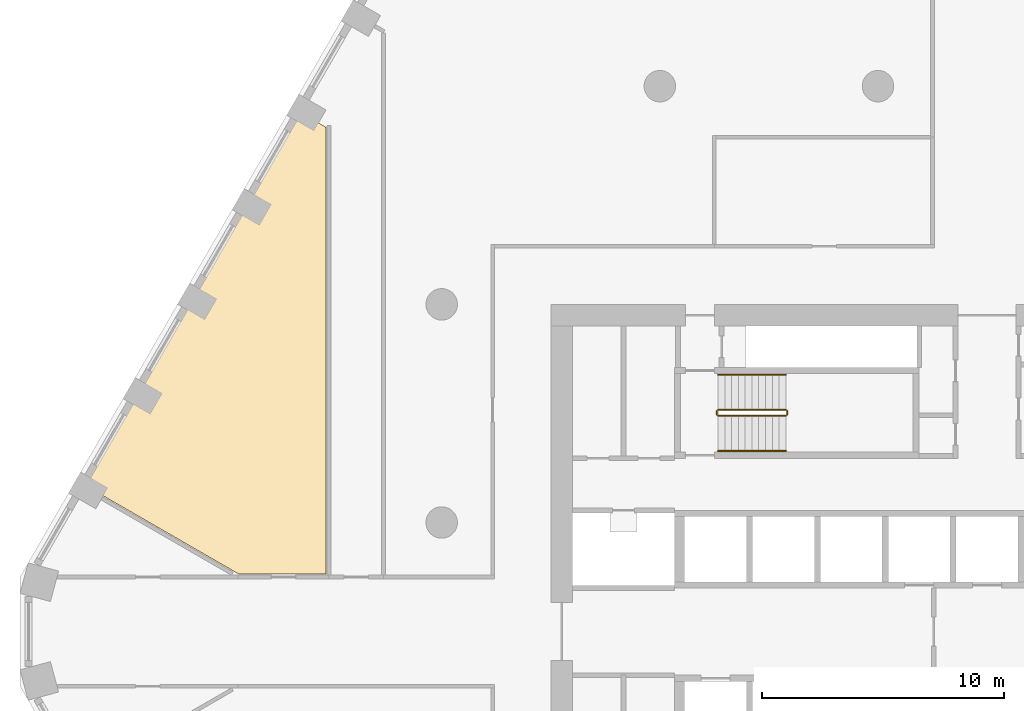
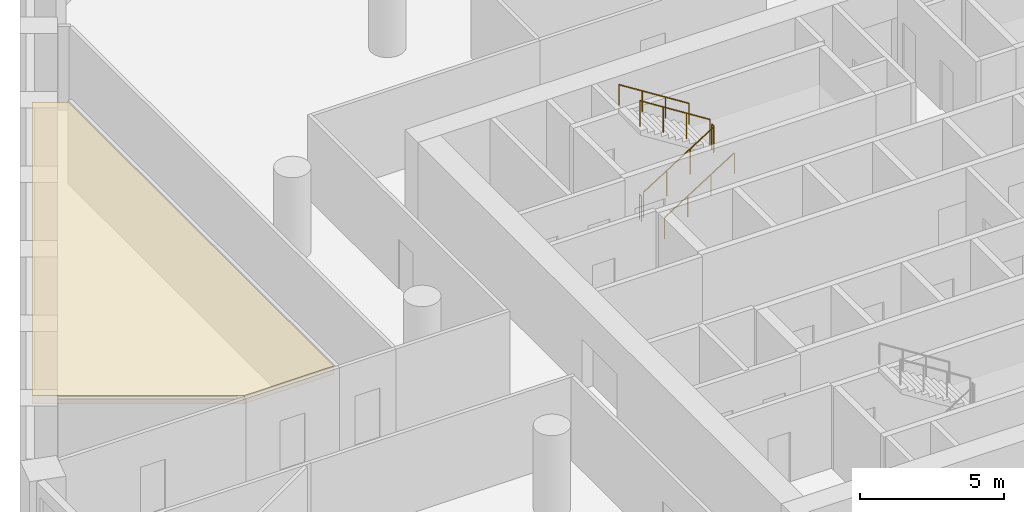
# One storey, part 12 of 14: 6 railings, 1 covering.
"""IFC4 building model written with IfcOpenShell, lengths in metres."""

from ifc_helpers import new_model, si_unit, direction, frame, origin, origin_2d, place, context, subcontext, project, spatial, polyline, circle, outline, extrude, material, layer, layer_set, type_object, element, save


model = new_model("IFC4")

# Units and contexts
model_context = context("Model", 3, precision=1e-05, world=origin(), true_north=direction((0.0, 1.0)))
body_context = subcontext(model_context, "Body", "Model", "MODEL_VIEW")
ifc_project = project(units=[si_unit("LENGTHUNIT", "METRE"), si_unit("AREAUNIT", "SQUARE_METRE"), si_unit("VOLUMEUNIT", "CUBIC_METRE"), si_unit("PLANEANGLEUNIT", "RADIAN"), si_unit("MASSUNIT", "GRAM", prefix="KILO")], contexts=[model_context])

# Site, building, storey
site_placement = place(None, origin())
site = spatial("IfcSite", under=ifc_project, at=site_placement, CompositionType="ELEMENT")
building_placement = place(site_placement, origin())
building = spatial("IfcBuilding", under=site, at=building_placement, Name="Dhurran Vertical Campus", CompositionType="ELEMENT")
storey_placement = place(building_placement, frame((0.0, 0.0, 100.800048828125)))
storey = spatial("IfcBuildingStorey", under=building, at=storey_placement, Name="L24", CompositionType="ELEMENT", Elevation=100.800048828125)

# Railings
ifc_material_1 = material(Name="Stainless steel balustrade", Category="steel")
railing_type_1 = type_object("IfcRailingType", Name="co-RL-GUARD-1100", PredefinedType="GUARDRAIL", material=ifc_material_1)
railing_1_placement = place(storey_placement, frame((-11.10009765625, 8.89990234375, 0.17724609375)))
element("IfcRailing", 1, at=railing_1_placement, inside=storey, type_object=railing_type_1, Name="L24 ST1 stair guard 1", PredefinedType="GUARDRAIL", context=body_context, shape_type="SweptSolid", body=[
    extrude(circle(Radius=0.02392578125, at=origin_2d()), frame((0.0, 0.0, 1.076171875), z_axis=(0.844908973607, 0.0, 0.534910110503), x_axis=(0.0, 1.0, 0.0)), (0.0, 0.0, 1.0), 3.31396484375),
    extrude(circle(Radius=0.02099609375, at=origin_2d()), origin(), (0.0, 0.0, 1.0), 1.052001953125),
    extrude(circle(Radius=0.02099609375, at=origin_2d()), frame((0.933349609375, 0.0, 0.5908203125)), (0.0, 0.0, 1.0), 1.052001953125),
    extrude(circle(Radius=0.02099609375, at=origin_2d()), frame((1.86669921875, 0.0, 1.181884765625)), (0.0, 0.0, 1.0), 1.052001953125),
    extrude(circle(Radius=0.02099609375, at=origin_2d()), frame((2.800048828125, 0.0, 1.772705078125)), (0.0, 0.0, 1.0), 1.052001953125),
])
railing_2_placement = place(storey_placement, frame((-8.25, 8.949951171875, 1.949951171875)))
element("IfcRailing", 2, at=railing_2_placement, inside=storey, type_object=railing_type_1, Name="L24 ST1 stair guard 2", PredefinedType="GUARDRAIL", context=body_context, shape_type="SweptSolid", body=[
    extrude(circle(Radius=0.02392578125, at=origin_2d()), frame((0.0, 0.0, 1.076171875), z_axis=(0.0, 1.0, 0.0), x_axis=(-1.0, 0.0, 0.0)), (0.0, 0.0, 1.0), 0.150146484375),
    extrude(circle(Radius=0.02099609375, at=origin_2d()), origin(), (0.0, 0.0, 1.0), 1.052001953125),
    extrude(circle(Radius=0.02099609375, at=origin_2d()), frame((0.0, 0.150146484375, 0.0)), (0.0, 0.0, 1.0), 1.052001953125),
])
railing_3_placement = place(storey_placement, frame((-8.300048828125, 9.14990234375, 2.127197265625)))
element("IfcRailing", 3, at=railing_3_placement, inside=storey, type_object=railing_type_1, Name="L24 ST1 stair guard 3", PredefinedType="GUARDRAIL", context=body_context, shape_type="SweptSolid", body=[
    extrude(circle(Radius=0.02392578125, at=origin_2d()), frame((0.0, 0.0, 1.076171875), z_axis=(-0.844908973607, 0.0, 0.534910110503), x_axis=(0.0, -1.0, 0.0)), (0.0, 0.0, 1.0), 3.31396484375),
    extrude(circle(Radius=0.02099609375, at=origin_2d()), origin(), (0.0, 0.0, 1.0), 1.052001953125),
    extrude(circle(Radius=0.02099609375, at=origin_2d()), frame((-0.933349609375, 0.0, 0.5908203125)), (0.0, 0.0, 1.0), 1.052001953125),
    extrude(circle(Radius=0.02099609375, at=origin_2d()), frame((-1.86669921875, 0.0, 1.181884765625)), (0.0, 0.0, 1.0), 1.052001953125),
    extrude(circle(Radius=0.02099609375, at=origin_2d()), frame((-2.800048828125, 0.0, 1.772705078125)), (0.0, 0.0, 1.0), 1.052001953125),
])
railing_4_placement = place(storey_placement, frame((-11.14990234375, 8.949951171875, 0.0)))
element("IfcRailing", 4, at=railing_4_placement, inside=storey, type_object=railing_type_1, Name="L24 ST1 stair guard 4", PredefinedType="GUARDRAIL", context=body_context, shape_type="SweptSolid", body=[
    extrude(circle(Radius=0.02392578125, at=origin_2d()), frame((0.0, 0.0, 1.076171875), z_axis=(0.0, 1.0, 0.0), x_axis=(-1.0, 0.0, 0.0)), (0.0, 0.0, 1.0), 0.150146484375),
    extrude(circle(Radius=0.02099609375, at=origin_2d()), origin(), (0.0, 0.0, 1.0), 1.052001953125),
    extrude(circle(Radius=0.02099609375, at=origin_2d()), frame((0.0, 0.150146484375, 0.0)), (0.0, 0.0, 1.0), 1.052001953125),
])
ifc_material_2 = material(Name="Stainless steel handrail", Category="steel")
railing_type_2 = type_object("IfcRailingType", Name="co-RL-HANDRAIL-900", PredefinedType="HANDRAIL", material=ifc_material_2)
railing_5_placement = place(storey_placement, frame((-11.10009765625, 7.449951171875, 0.17724609375)))
element("IfcRailing", 5, at=railing_5_placement, inside=storey, type_object=railing_type_2, Name="L24 ST1 stair handrail 1", PredefinedType="HANDRAIL", context=body_context, shape_type="SweptSolid", body=[
    extrude(circle(Radius=0.02392578125, at=origin_2d()), frame((0.0, 0.0, 0.8759765625), z_axis=(0.844908973607, 0.0, 0.534910110503), x_axis=(0.0, 1.0, 0.0)), (0.0, 0.0, 1.0), 3.31396484375),
    extrude(circle(Radius=0.02099609375, at=origin_2d()), origin(), (0.0, 0.0, 1.0), 0.851806640625),
    extrude(circle(Radius=0.02099609375, at=origin_2d()), frame((0.933349609375, 0.0, 0.5908203125)), (0.0, 0.0, 1.0), 0.851806640625),
    extrude(circle(Radius=0.02099609375, at=origin_2d()), frame((1.86669921875, 0.0, 1.181884765625)), (0.0, 0.0, 1.0), 0.851806640625),
    extrude(circle(Radius=0.02099609375, at=origin_2d()), frame((2.800048828125, 0.0, 1.772705078125)), (0.0, 0.0, 1.0), 0.851806640625),
])
railing_6_placement = place(storey_placement, frame((-8.300048828125, 10.60009765625, 2.127197265625)))
element("IfcRailing", 6, at=railing_6_placement, inside=storey, type_object=railing_type_2, Name="L24 ST1 stair handrail 2", PredefinedType="HANDRAIL", context=body_context, shape_type="SweptSolid", body=[
    extrude(circle(Radius=0.02392578125, at=origin_2d()), frame((0.0, 0.0, 0.8759765625), z_axis=(-0.844908973607, 0.0, 0.534910110503), x_axis=(0.0, -1.0, 0.0)), (0.0, 0.0, 1.0), 3.31396484375),
    extrude(circle(Radius=0.02099609375, at=origin_2d()), origin(), (0.0, 0.0, 1.0), 0.851806640625),
    extrude(circle(Radius=0.02099609375, at=origin_2d()), frame((-0.933349609375, 0.0, 0.5908203125)), (0.0, 0.0, 1.0), 0.851806640625),
    extrude(circle(Radius=0.02099609375, at=origin_2d()), frame((-1.86669921875, 0.0, 1.181884765625)), (0.0, 0.0, 1.0), 0.851806640625),
    extrude(circle(Radius=0.02099609375, at=origin_2d()), frame((-2.800048828125, 0.0, 1.772705078125)), (0.0, 0.0, 1.0), 0.851806640625),
])

# Covering
ifc_material_3 = material(Name="Mineral fibre ceiling tiles on suspended grid")
ifc_layer = layer(ifc_material_3, 0.35009765625)
ifc_layer_set = layer_set([ifc_layer], Name="Mineral fibre ceiling tiles on suspended grid")
covering_type = type_object("IfcCoveringType", Name="fl-CE-350 suspended ceiling", PredefinedType="CEILING", material=ifc_layer_set)
covering_placement = place(storey_placement, frame((0.0, 0.0, 3.175048828125)))
element("IfcCovering", 7, at=covering_placement, inside=storey, type_object=covering_type, Name="Ceiling 24-06", PredefinedType="CEILING", context=body_context, shape_type="SweptSolid", body=[
    extrude(outline(polyline([(-27.27001953125, 20.802001953125), (-27.27001953125, 2.3701171875), (-30.864990234375, 2.3701171875), (-37.222900390625, 6.041015625), (-28.343017578125, 21.4208984375), (-27.27001953125, 20.802001953125)])), origin(), (0.0, 0.0, 1.0), 0.349853515625),
])

save(model, "model.ifc")
